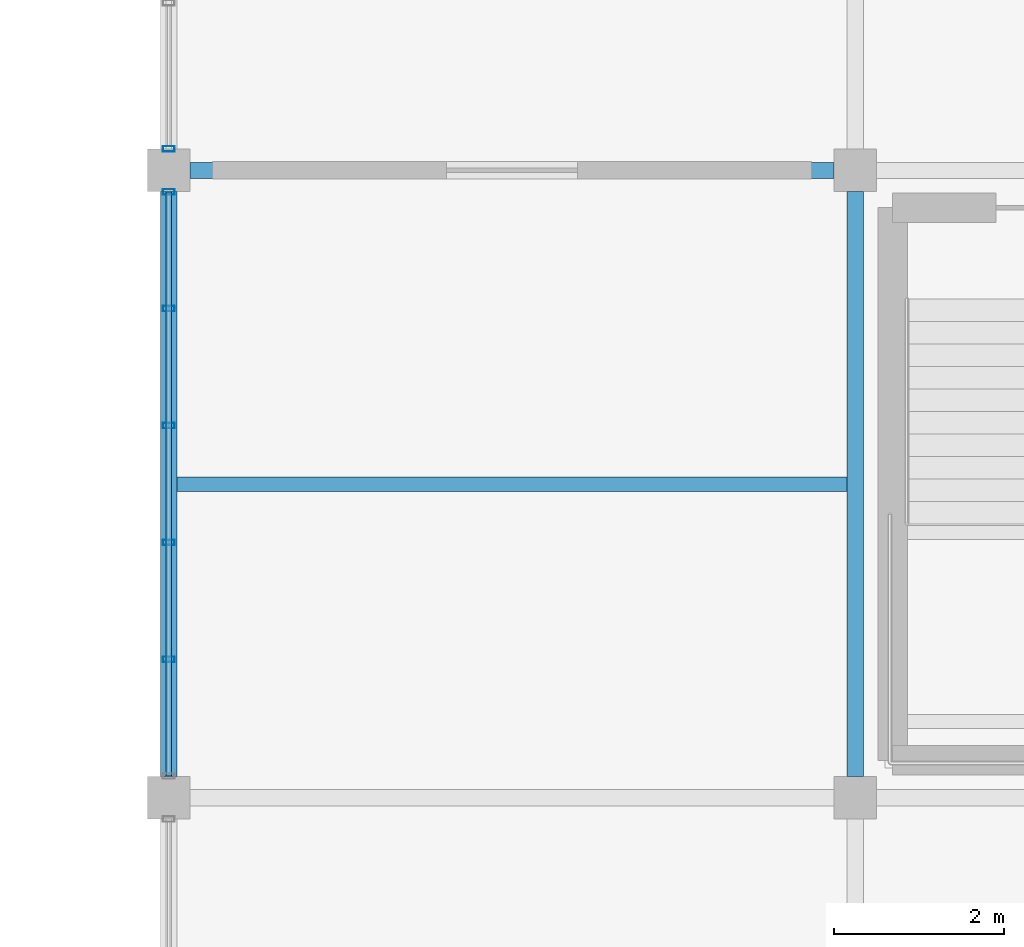
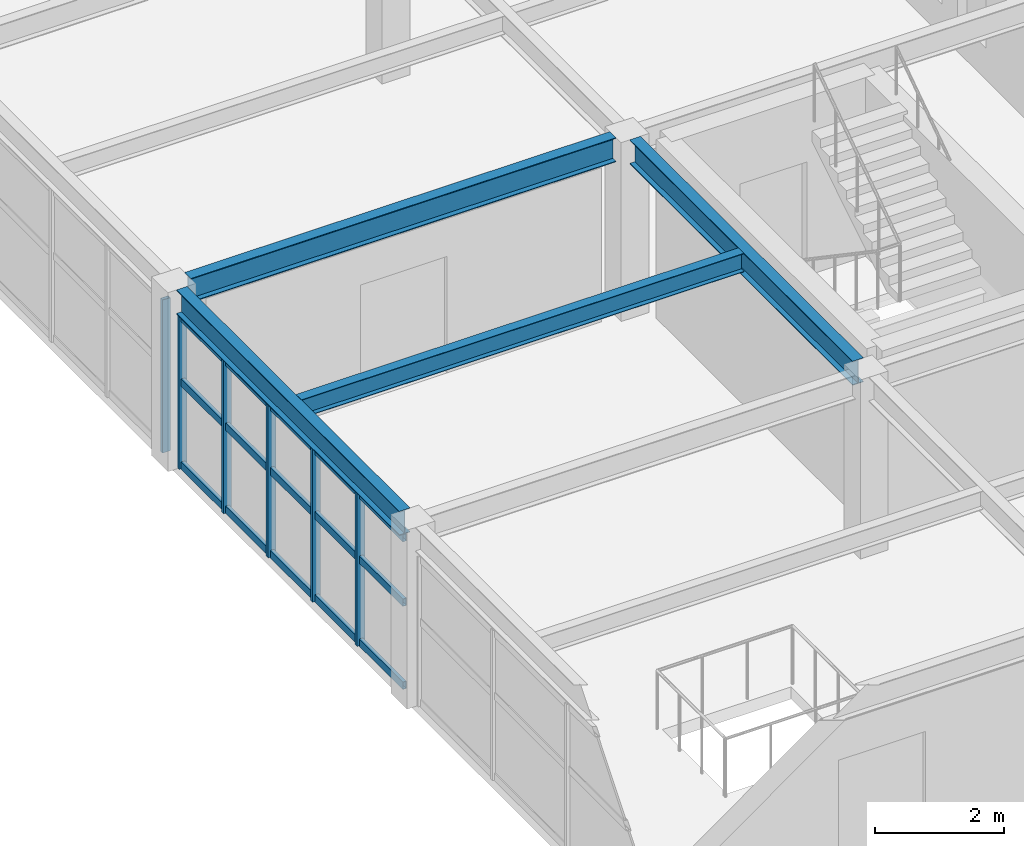
# One storey, part 42 of 93: 9 members, 4 beams, 2 elements without a shape of their own.
"""IFC4 building model written with IfcOpenShell, lengths in metres."""

import ifcopenshell
import ifcopenshell.guid

model = None  # the IFC model being written
_history = None  # IfcOwnerHistory: only IFC2X3 demands one
_inside = {}  # id of a spatial element -> (the spatial element, [elements in it])
_under = {}  # id of a project, library or spatial element -> (it, [spatial elements below it])
_declared = {}  # id of a project -> (the project, [libraries it declares])
_typed = {}  # id of a type object -> (the type object, [elements of that type])
_made_of = {}  # id of a material, layer set ... -> (it, [elements and type objects made of it])


def new_model(schema):
    """Start an empty IFC model of exactly this schema.

    Asked for "IFC4X3", IfcOpenShell would pick the latest addendum, in which some entities
    have other attributes; the version numbers below select the first issue.
    IFC2X3 requires an IfcOwnerHistory on every rooted entity: one is made here for all.
    """
    global model, _history
    if schema == "IFC4X3":
        model = ifcopenshell.file(schema_version=(4, 3, 0, 0))
    else:
        model = ifcopenshell.file(schema=schema)
    _inside.clear()
    _under.clear()
    _declared.clear()
    _typed.clear()
    _made_of.clear()
    _history = None
    if model.schema == "IFC2X3":
        org = make("IfcOrganization", Name="unknown")
        user = make(
            "IfcPersonAndOrganization",
            ThePerson=make("IfcPerson", FamilyName="unknown"),
            TheOrganization=org,
        )
        app = make(
            "IfcApplication",
            ApplicationDeveloper=org,
            Version="unknown",
            ApplicationFullName="unknown",
            ApplicationIdentifier="unknown",
        )
        _history = make(
            "IfcOwnerHistory",
            OwningUser=user,
            OwningApplication=app,
            ChangeAction="ADDED",
            CreationDate=0,
        )
    return model


def make(cls, **values):
    """One entity of the class cls with the attributes given. An attribute that is None is left unset."""
    return model.create_entity(
        cls, **{name: value for name, value in values.items() if value is not None}
    )


def rooted(cls, **values):
    """An entity with a GlobalId (a new one), such as an element, a storey or a relation."""
    return make(cls, GlobalId=ifcopenshell.guid.new(), OwnerHistory=_history, **values)


def si_unit(unit_type, name, prefix=None):
    """IfcSIUnit, for example si_unit("LENGTHUNIT", "METRE", prefix="MILLI")."""
    return make("IfcSIUnit", UnitType=unit_type, Prefix=prefix, Name=name)


def assignment(units):
    """IfcUnitAssignment: the units of a project."""
    return None if units is None else make("IfcUnitAssignment", Units=units)


def point(xyz):
    """IfcCartesianPoint."""
    return None if xyz is None else make("IfcCartesianPoint", Coordinates=xyz)


def direction(xyz):
    """IfcDirection."""
    return None if xyz is None else make("IfcDirection", DirectionRatios=xyz)


def frame(location, z_axis=None, x_axis=None):
    """IfcAxis2Placement3D, a coordinate frame: its origin and axes. An axis left out is left unset."""
    return make(
        "IfcAxis2Placement3D",
        Location=point(location),
        Axis=direction(z_axis),
        RefDirection=direction(x_axis),
    )


def frame_2d(location, x_axis=None):
    """IfcAxis2Placement2D, a coordinate frame in the plane: its origin and x axis."""
    return make(
        "IfcAxis2Placement2D", Location=point(location), RefDirection=direction(x_axis)
    )


def origin():
    """The frame at (0, 0, 0) with its axes left unset."""
    return frame((0.0, 0.0, 0.0))


def origin_2d():
    """The frame at (0, 0) in the plane with its x axis left unset."""
    return frame_2d((0.0, 0.0))


def place(relative_to, where):
    """IfcLocalPlacement: puts the frame where relative to a parent placement (None: the world)."""
    return make(
        "IfcLocalPlacement", PlacementRelTo=relative_to, RelativePlacement=where
    )


def context(
    kind, dimensions, precision=None, world=None, true_north=None, identifier=None
):
    """IfcGeometricRepresentationContext, for example the 3D "Model" context."""
    return make(
        "IfcGeometricRepresentationContext",
        ContextIdentifier=identifier,
        ContextType=kind,
        CoordinateSpaceDimension=dimensions,
        Precision=precision,
        WorldCoordinateSystem=world,
        TrueNorth=true_north,
    )


def subcontext(parent, identifier, kind, view, scale=None):
    """IfcGeometricRepresentationSubContext, for example "Body" below "Model"."""
    return make(
        "IfcGeometricRepresentationSubContext",
        ContextIdentifier=identifier,
        ContextType=kind,
        ParentContext=parent,
        TargetScale=scale,
        TargetView=view,
    )


def project(units=None, contexts=None):
    """IfcProject with its units and contexts."""
    return rooted(
        "IfcProject",
        Name="project",
        RepresentationContexts=contexts,
        UnitsInContext=assignment(units),
    )


def spatial(cls, under=None, at=None, **own):
    """A site, building, storey or space (cls), placed at a placement, below another one or the project."""
    s = rooted(cls, ObjectPlacement=at, **own)
    if under is not None:
        _under.setdefault(under.id(), (under, []))[1].append(s)
    return s


def profile(cls, at=None, kind="AREA", **sizes):
    """A parametric profile (cls). Its sizes go by their IFC names, for example OverallWidth=200.0."""
    return make(cls, ProfileType=kind, Position=at, **sizes)


def hollow_rectangle(**sizes):
    """IfcRectangleHollowProfileDef."""
    return profile("IfcRectangleHollowProfileDef", **sizes)


def i_section(**sizes):
    """IfcIShapeProfileDef."""
    return profile("IfcIShapeProfileDef", **sizes)


def extrude(swept, where, along, depth):
    """IfcExtrudedAreaSolid: the profile swept, set in the frame where, extruded along a direction by depth."""
    return make(
        "IfcExtrudedAreaSolid",
        SweptArea=swept,
        Position=where,
        ExtrudedDirection=direction(along),
        Depth=depth,
    )


def shape(context_of_items, identifier, shape_type, items):
    """IfcShapeRepresentation: the items that make up one representation, for example the "Body"."""
    return make(
        "IfcShapeRepresentation",
        ContextOfItems=context_of_items,
        RepresentationIdentifier=identifier,
        RepresentationType=shape_type,
        Items=items,
    )


def material(Name=None, Category=None):
    """IfcMaterial."""
    return make("IfcMaterial", Name=Name, Category=Category)


def material_profile(
    of_material, cross_section, Name=None, Category=None, Priority=None
):
    """IfcMaterialProfile: a cross section and its material."""
    return make(
        "IfcMaterialProfile",
        Name=Name,
        Material=of_material,
        Profile=cross_section,
        Priority=Priority,
        Category=Category,
    )


def profile_set(profiles, Name=None, composite=None):
    """IfcMaterialProfileSet."""
    return make(
        "IfcMaterialProfileSet",
        Name=Name,
        MaterialProfiles=profiles,
        CompositeProfile=composite,
    )


def made_of(thing, what):
    """Note that an element or type object is made of a material, layer set ...; save() writes the relation."""
    if what is not None:
        _made_of.setdefault(what.id(), (what, []))[1].append(thing)
    return thing


def type_object(cls, material=None, **own):
    """A type object (cls), such as IfcWallType, which elements share."""
    return made_of(rooted(cls, **own), material)


def element(
    cls,
    number,
    at=None,
    inside=None,
    cuts=None,
    type_object=None,
    material=None,
    context=None,
    identifier="Body",
    shape_type=None,
    held_by="IfcProductDefinitionShape",
    body=None,
    shapes=None,
    **own,
):
    """One element of the class cls, such as IfcWall. Its Tag is "e" and its number.

    at: its placement. inside: the storey or other place that contains it. cuts: it is an
    opening in that element (IfcRelVoidsElement). A single representation is given by context,
    identifier, shape_type and body (its items); several are given by shapes. held_by: the class
    of the entity that holds the representations. save() writes the other relations.
    """
    e = rooted(cls, Tag="e%d" % number, ObjectPlacement=at, **own)
    if body is not None:
        shapes = [shape(context, identifier, shape_type, body)]
    if shapes is not None:
        e.Representation = make(held_by, Representations=shapes)
    if inside is not None:
        _inside.setdefault(inside.id(), (inside, []))[1].append(e)
    if cuts is not None:
        rooted(
            "IfcRelVoidsElement", RelatingBuildingElement=cuts, RelatedOpeningElement=e
        )
    if type_object is not None:
        _typed.setdefault(type_object.id(), (type_object, []))[1].append(e)
    return made_of(e, material)


def aggregate(whole, parts):
    """IfcRelAggregates: a whole, such as a stair, and the parts it consists of."""
    return rooted("IfcRelAggregates", RelatingObject=whole, RelatedObjects=parts)


def save(model, path):
    """Write the relations noted so far, then the file.

    IfcRelAggregates (storeys below a building ...), IfcRelContainedInSpatialStructure (elements
    in a storey), IfcRelDefinesByType, IfcRelAssociatesMaterial and IfcRelDeclares: one each for
    every whole, place, type object, material and project.
    """
    for whole, parts in _under.values():
        aggregate(whole, parts)
    for where, things in _inside.values():
        rooted(
            "IfcRelContainedInSpatialStructure",
            RelatedElements=things,
            RelatingStructure=where,
        )
    for kind, things in _typed.values():
        rooted("IfcRelDefinesByType", RelatedObjects=things, RelatingType=kind)
    for what, things in _made_of.values():
        rooted("IfcRelAssociatesMaterial", RelatedObjects=things, RelatingMaterial=what)
    for by, libraries in _declared.values():
        rooted("IfcRelDeclares", RelatingContext=by, RelatedDefinitions=libraries)
    model.write(path)


model = new_model("IFC4")

# Units and contexts
model_context = context("Model", 3, precision=1e-05, world=origin(), true_north=direction((0.0, 1.0)))
body_context = subcontext(model_context, "Body", "Model", "MODEL_VIEW")
ifc_project = project(units=[si_unit("LENGTHUNIT", "METRE"), si_unit("AREAUNIT", "SQUARE_METRE"), si_unit("VOLUMEUNIT", "CUBIC_METRE"), si_unit("PLANEANGLEUNIT", "RADIAN"), si_unit("MASSUNIT", "GRAM", prefix="KILO")], contexts=[model_context])

# Site, building, storey
site_placement = place(None, origin())
site = spatial("IfcSite", under=ifc_project, at=site_placement, CompositionType="ELEMENT")
building_placement = place(site_placement, origin())
building = spatial("IfcBuilding", under=site, at=building_placement, Name="Cimatlan Art Gallery", CompositionType="ELEMENT")
storey_placement = place(building_placement, frame((0.0, 0.0, 13.800048828125)))
storey = spatial("IfcBuildingStorey", under=building, at=storey_placement, Name="L03", CompositionType="ELEMENT", Elevation=13.800048828125)

# Beams
ifc_material_1 = material(Name="Steel ASTM A992 Grade 50", Category="steel")
ifc_material_profile_1 = material_profile(ifc_material_1, i_section(OverallWidth=0.1708984375, OverallDepth=0.35107421875, WebThickness=0.0068359375, FlangeThickness=0.009765625, at=origin_2d()), Name="W14X30")
ifc_profile_set_1 = profile_set([ifc_material_profile_1], Name="Steel ASTM A992 Grade 50")
beam_type_1 = type_object("IfcBeamType", Name="BM-STL-W14X30", PredefinedType="JOIST", material=ifc_profile_set_1)
beam_1_placement = place(storey_placement, frame((115.49560546875, 49.800048828125, 3.204345703125), z_axis=(1.0, 0.0, 0.0), x_axis=(0.0, 1.0, 0.0)))
element("IfcBeam", 1, at=beam_1_placement, inside=storey, type_object=beam_type_1, Name="JST-L03-14-06", PredefinedType="JOIST", context=body_context, shape_type="SweptSolid", body=[
    extrude(i_section(OverallWidth=0.1708984375, OverallDepth=0.35107421875, WebThickness=0.0068359375, FlangeThickness=0.009765625, at=origin_2d()), origin(), (0.0, 0.0, 1.0), 7.908935546875),
])
ifc_material_profile_2 = material_profile(ifc_material_1, i_section(OverallWidth=0.19091796875, OverallDepth=0.45703125, WebThickness=0.009033203125, FlangeThickness=0.014404296875, at=origin_2d()), Name="W18X50")
ifc_profile_set_2 = profile_set([ifc_material_profile_2], Name="Steel ASTM A992 Grade 50")
beam_type_2 = type_object("IfcBeamType", Name="BM-STL-W18X50", PredefinedType="BEAM", material=ifc_profile_set_2)
for number, where, z_axis, x_axis, name in (
    (2, (115.39990234375, 46.35009765625, 3.1513671875), (0.0, 1.0, 0.0), (-1.0, 0.0, 0.0), "BM-Y-L03-14-06"),
    (3, (123.5, 46.35009765625, 3.1513671875), (0.0, 1.0, 0.0), (-1.0, 0.0, 0.0), "BM-Y-L03-15-06"),
):
    element("IfcBeam", number, at=place(storey_placement, frame(where, z_axis=z_axis, x_axis=x_axis)), inside=storey, type_object=beam_type_2, Name=name, PredefinedType="BEAM", context=body_context, shape_type="SweptSolid", body=[
        extrude(i_section(OverallWidth=0.19091796875, OverallDepth=0.45703125, WebThickness=0.009033203125, FlangeThickness=0.014404296875, at=origin_2d()), origin(), (0.0, 0.0, 1.0), 6.89990234375),
    ])
beam_2_placement = place(storey_placement, frame((115.64990234375, 53.5, 3.1513671875), z_axis=(1.0, 0.0, 0.0), x_axis=(0.0, 1.0, 0.0)))
element("IfcBeam", 4, at=beam_2_placement, inside=storey, type_object=beam_type_2, Name="BM-X-L03-14-07", PredefinedType="BEAM", context=body_context, shape_type="SweptSolid", body=[
    extrude(i_section(OverallWidth=0.19091796875, OverallDepth=0.45703125, WebThickness=0.009033203125, FlangeThickness=0.014404296875, at=origin_2d()), origin(), (0.0, 0.0, 1.0), 7.60009765625),
])

# Curtain wall, members
ifc_material_2 = material(Name="Anodised bronze unitised curtain wall")
curtain_wall_type_1 = type_object("IfcCurtainWallType", Name="CW-V-06892X02908-B5", PredefinedType="NOTDEFINED", material=ifc_material_2)
curtain_wall_1_placement = place(storey_placement, origin())
curtain_wall_1 = element("IfcCurtainWall", 5, at=curtain_wall_1_placement, inside=storey, type_object=curtain_wall_type_1, Name="CW-L03-14-06-W", PredefinedType="NOTDEFINED")
ifc_material_3 = material(Name="Anodised bronze aluminium 6063-T6", Category="aluminium")
ifc_material_profile_3 = material_profile(ifc_material_3, hollow_rectangle(XDim=0.06494140625, YDim=0.139892578125, WallThickness=0.00390625, at=origin_2d()), Name="ALU65X140X4")
ifc_profile_set_3 = profile_set([ifc_material_profile_3], Name="Anodised bronze aluminium 6063-T6")
member_type_1 = type_object("IfcMemberType", Name="CW-MUL-140", PredefinedType="MULLION", material=ifc_profile_set_3)
member_1_placement = place(storey_placement, frame((115.39990234375, 47.732421875, 0.0), z_axis=(0.0, 0.0, 1.0), x_axis=(0.0, 1.0, 0.0)))
member_1 = element("IfcMember", 6, at=member_1_placement, type_object=member_type_1, Name="CW-L03-14-06-W-M2", PredefinedType="MULLION", context=body_context, shape_type="SweptSolid", body=[
    extrude(hollow_rectangle(XDim=0.06494140625, YDim=0.139892578125, WallThickness=0.00390625, at=origin_2d()), origin(), (0.0, 0.0, 1.0), 2.907958984375),
])
member_2_placement = place(storey_placement, frame((115.39990234375, 49.11083984375, 0.0), z_axis=(0.0, 0.0, 1.0), x_axis=(0.0, 1.0, 0.0)))
member_2 = element("IfcMember", 7, at=member_2_placement, type_object=member_type_1, Name="CW-L03-14-06-W-M3", PredefinedType="MULLION", context=body_context, shape_type="SweptSolid", body=[
    extrude(hollow_rectangle(XDim=0.06494140625, YDim=0.139892578125, WallThickness=0.00390625, at=origin_2d()), origin(), (0.0, 0.0, 1.0), 2.907958984375),
])
member_3_placement = place(storey_placement, frame((115.39990234375, 50.4892578125, 0.0), z_axis=(0.0, 0.0, 1.0), x_axis=(0.0, 1.0, 0.0)))
member_3 = element("IfcMember", 8, at=member_3_placement, type_object=member_type_1, Name="CW-L03-14-06-W-M4", PredefinedType="MULLION", context=body_context, shape_type="SweptSolid", body=[
    extrude(hollow_rectangle(XDim=0.06494140625, YDim=0.139892578125, WallThickness=0.00390625, at=origin_2d()), origin(), (0.0, 0.0, 1.0), 2.907958984375),
])
member_4_placement = place(storey_placement, frame((115.39990234375, 51.86767578125, 0.0), z_axis=(0.0, 0.0, 1.0), x_axis=(0.0, 1.0, 0.0)))
member_4 = element("IfcMember", 9, at=member_4_placement, type_object=member_type_1, Name="CW-L03-14-06-W-M5", PredefinedType="MULLION", context=body_context, shape_type="SweptSolid", body=[
    extrude(hollow_rectangle(XDim=0.06494140625, YDim=0.139892578125, WallThickness=0.00390625, at=origin_2d()), origin(), (0.0, 0.0, 1.0), 2.907958984375),
])
member_5_placement = place(storey_placement, frame((115.39990234375, 53.24609375, 0.0), z_axis=(0.0, 0.0, 1.0), x_axis=(0.0, 1.0, 0.0)))
member_5 = element("IfcMember", 10, at=member_5_placement, type_object=member_type_1, Name="CW-L03-14-06-W-M6", PredefinedType="MULLION", context=body_context, shape_type="SweptSolid", body=[
    extrude(hollow_rectangle(XDim=0.06494140625, YDim=0.139892578125, WallThickness=0.00390625, at=origin_2d()), origin(), (0.0, 0.0, 1.0), 2.907958984375),
])

# Curtain wall, member
curtain_wall_type_2 = type_object("IfcCurtainWallType", Name="CW-V-06892X02893-B4", PredefinedType="NOTDEFINED", material=ifc_material_2)
curtain_wall_2_placement = place(storey_placement, origin())
curtain_wall_2 = element("IfcCurtainWall", 11, at=curtain_wall_2_placement, inside=storey, type_object=curtain_wall_type_2, Name="CW-L03-14-07-W", PredefinedType="NOTDEFINED")
member_6_placement = place(storey_placement, frame((115.39990234375, 53.75390625, 0.0), z_axis=(0.0, 0.0, 1.0), x_axis=(0.0, 1.0, 0.0)))
member_6 = element("IfcMember", 12, at=member_6_placement, type_object=member_type_1, Name="CW-L03-14-07-W-M1", PredefinedType="MULLION", context=body_context, shape_type="SweptSolid", body=[
    extrude(hollow_rectangle(XDim=0.06494140625, YDim=0.139892578125, WallThickness=0.00390625, at=origin_2d()), origin(), (0.0, 0.0, 1.0), 2.89306640625),
])
aggregate(curtain_wall_2, [member_6])

# Member
ifc_material_profile_4 = material_profile(ifc_material_3, hollow_rectangle(XDim=0.06494140625, YDim=0.139892578125, WallThickness=0.00390625, at=origin_2d()), Name="ALU65X140X4")
ifc_profile_set_4 = profile_set([ifc_material_profile_4], Name="Anodised bronze aluminium 6063-T6")
member_type_2 = type_object("IfcMemberType", Name="CW-TRN-140", PredefinedType="USERDEFINED", material=ifc_profile_set_4)
member_7_placement = place(storey_placement, frame((115.39990234375, 46.35400390625, 0.06005859375), z_axis=(0.0, 1.0, 0.0), x_axis=(-1.0, 0.0, 0.0)))
member_7 = element("IfcMember", 13, at=member_7_placement, type_object=member_type_2, Name="CW-L03-14-06-W-T1", ObjectType="TRANSOM", PredefinedType="USERDEFINED", context=body_context, shape_type="SweptSolid", body=[
    extrude(hollow_rectangle(XDim=0.06494140625, YDim=0.139892578125, WallThickness=0.00390625, at=origin_2d()), origin(), (0.0, 0.0, 1.0), 6.89208984375),
])

member_8_placement = place(storey_placement, frame((115.39990234375, 46.35400390625, 1.62841796875), z_axis=(0.0, 1.0, 0.0), x_axis=(-1.0, 0.0, 0.0)))
member_8 = element("IfcMember", 14, at=member_8_placement, type_object=member_type_2, Name="CW-L03-14-06-W-T2", ObjectType="TRANSOM", PredefinedType="USERDEFINED", context=body_context, shape_type="SweptSolid", body=[
    extrude(hollow_rectangle(XDim=0.06494140625, YDim=0.139892578125, WallThickness=0.00390625, at=origin_2d()), origin(), (0.0, 0.0, 1.0), 6.89208984375),
])

member_9_placement = place(storey_placement, frame((115.39990234375, 46.35400390625, 2.847900390625), z_axis=(0.0, 1.0, 0.0), x_axis=(-1.0, 0.0, 0.0)))
member_9 = element("IfcMember", 15, at=member_9_placement, type_object=member_type_2, Name="CW-L03-14-06-W-T3", ObjectType="TRANSOM", PredefinedType="USERDEFINED", context=body_context, shape_type="SweptSolid", body=[
    extrude(hollow_rectangle(XDim=0.06494140625, YDim=0.139892578125, WallThickness=0.00390625, at=origin_2d()), origin(), (0.0, 0.0, 1.0), 6.89208984375),
])

aggregate(curtain_wall_1, [member_1, member_2, member_3, member_4, member_5, member_7, member_8, member_9])

save(model, "model.ifc")
